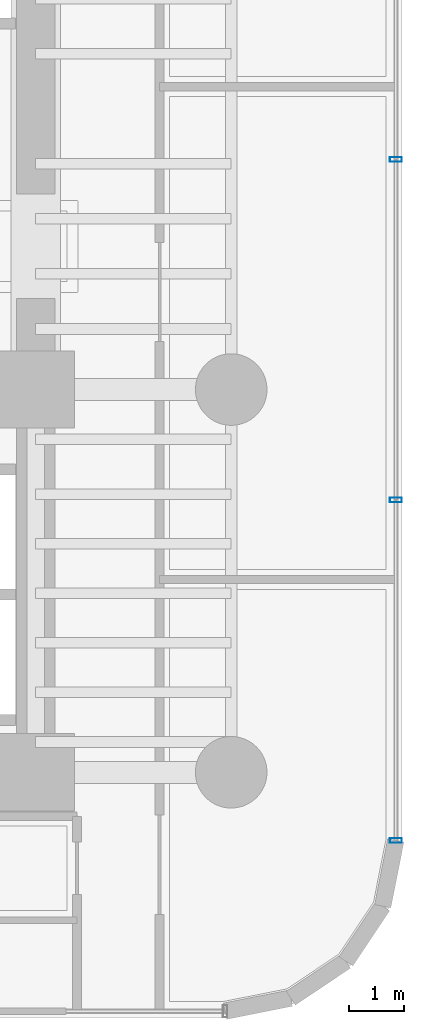
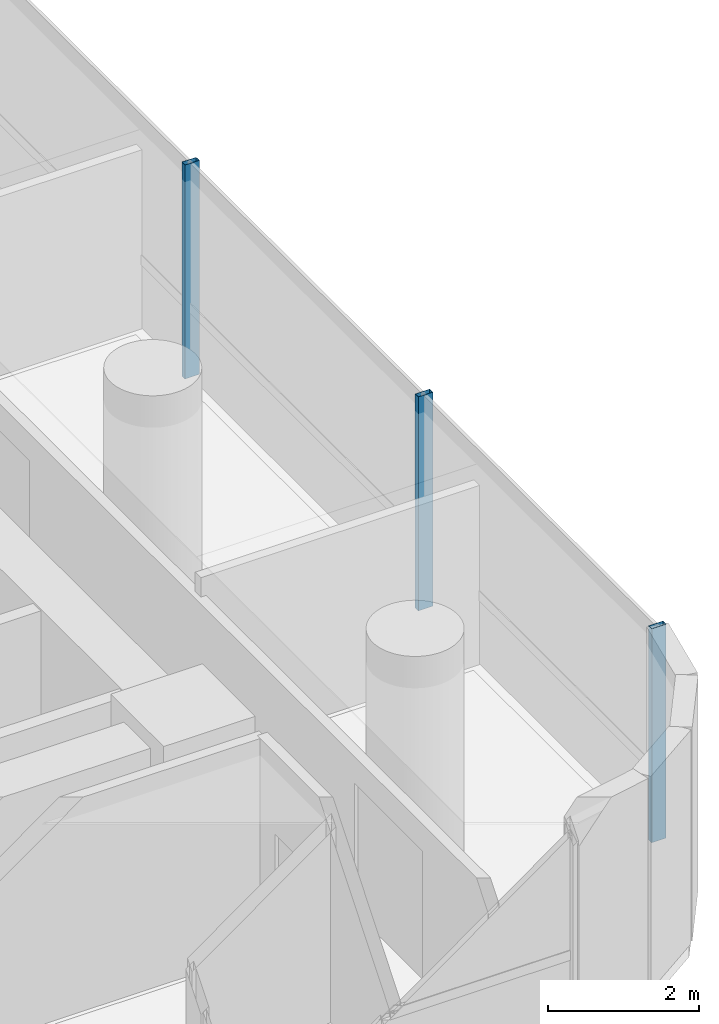
# One storey, part 25 of 41: 3 members, 1 element without a shape of its own.
"""IFC4 building model written with IfcOpenShell, lengths in metres."""

from ifc_helpers import new_model, si_unit, direction, frame, origin, origin_2d, place, context, subcontext, project, spatial, hollow_rectangle, extrude, source, transform, mapped, material, material_profile, profile_set, type_object, element, aggregate, save


model = new_model("IFC4")

# Units and contexts
model_context = context("Model", 3, precision=1e-05, world=origin(), true_north=direction((0.0, 1.0)))
body_context = subcontext(model_context, "Body", "Model", "MODEL_VIEW")
ifc_project = project(units=[si_unit("LENGTHUNIT", "METRE"), si_unit("AREAUNIT", "SQUARE_METRE"), si_unit("VOLUMEUNIT", "CUBIC_METRE"), si_unit("PLANEANGLEUNIT", "RADIAN"), si_unit("MASSUNIT", "GRAM", prefix="KILO")], contexts=[model_context])

# Site, building, storey
site_placement = place(None, origin())
site = spatial("IfcSite", under=ifc_project, at=site_placement, CompositionType="ELEMENT")
building_placement = place(site_placement, origin())
building = spatial("IfcBuilding", under=site, at=building_placement, Name="Valdorenza Pilgrim Sanctuary Tower", CompositionType="ELEMENT")
storey_placement = place(building_placement, frame((0.0, 0.0, 59.300048828125)))
storey = spatial("IfcBuildingStorey", under=building, at=storey_placement, Name="L14", CompositionType="ELEMENT", Elevation=59.300048828125)

# Curtain wall, members
ifc_material_1 = material(Name="Curtain-wall IGU glazing", Category="glass")
curtain_wall_type = type_object("IfcCurtainWallType", Name="CW-SYS-03", PredefinedType="NOTDEFINED", material=ifc_material_1)
curtain_wall_placement = place(storey_placement, origin())
curtain_wall = element("IfcCurtainWall", 1, at=curtain_wall_placement, inside=storey, type_object=curtain_wall_type, Name="L14 Curtain Wall CW-L14-1-21", PredefinedType="NOTDEFINED")
ifc_material_2 = material(Name="Anodised aluminium AW-6060", Category="aluminium")
ifc_material_profile = material_profile(ifc_material_2, hollow_rectangle(XDim=0.0849609375, YDim=0.219970703125, WallThickness=0.0048828125, at=origin_2d()), Name="ALU-M 220x85x5")
ifc_profile_set = profile_set([ifc_material_profile], Name="Anodised aluminium AW-6060")
member_type = type_object("IfcMemberType", Name="CW-MUL-03", PredefinedType="MULLION", material=ifc_profile_set)
shared_shape = source(origin(), body_context, "Body", "SweptSolid", [
    extrude(hollow_rectangle(XDim=0.0849609375, YDim=0.219970703125, WallThickness=0.0048828125, at=origin_2d()), origin(), (0.0, 0.0, 1.0), 3.4599609375),
])
member_1_placement = place(storey_placement, frame((31.389892578125, 1.577880859375, 0.0), z_axis=(0.0, 0.0, 1.0), x_axis=(0.0, -1.0, 0.0)))
member_1 = element("IfcMember", 2, at=member_1_placement, type_object=member_type, Name="CW-L14-1-21 Mullion 3", PredefinedType="MULLION", context=body_context, shape_type="MappedRepresentation", body=[
    mapped(shared_shape, transform((0.0, 0.0, 0.0), x_axis=(1.0, 0.0, 0.0), y_axis=(0.0, 1.0, 0.0), z_axis=(0.0, 0.0, 1.0), scale=1.0)),
])
member_2_placement = place(storey_placement, frame((31.389892578125, -4.605712890625, 0.0), z_axis=(0.0, 0.0, 1.0), x_axis=(0.0, -1.0, 0.0)))
member_2 = element("IfcMember", 3, at=member_2_placement, type_object=member_type, Name="CW-L14-1-21 Mullion 4", PredefinedType="MULLION", context=body_context, shape_type="MappedRepresentation", body=[
    mapped(shared_shape, transform((0.0, 0.0, 0.0), x_axis=(1.0, 0.0, 0.0), y_axis=(0.0, 1.0, 0.0), z_axis=(0.0, 0.0, 1.0), scale=1.0)),
])
member_3_placement = place(storey_placement, frame((31.389892578125, -10.789306640625, 0.0), z_axis=(0.0, 0.0, 1.0), x_axis=(0.0, -1.0, 0.0)))
member_3 = element("IfcMember", 4, at=member_3_placement, type_object=member_type, Name="CW-L14-1-21 Mullion 5", PredefinedType="MULLION", context=body_context, shape_type="MappedRepresentation", body=[
    mapped(shared_shape, transform((0.0, 0.0, 0.0), x_axis=(1.0, 0.0, 0.0), y_axis=(0.0, 1.0, 0.0), z_axis=(0.0, 0.0, 1.0), scale=1.0)),
])
aggregate(curtain_wall, [member_1, member_2, member_3])

save(model, "model.ifc")
